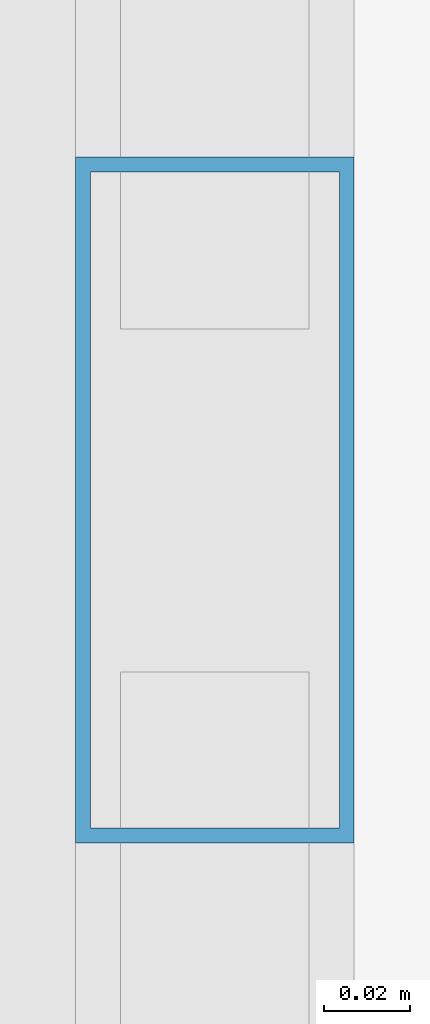
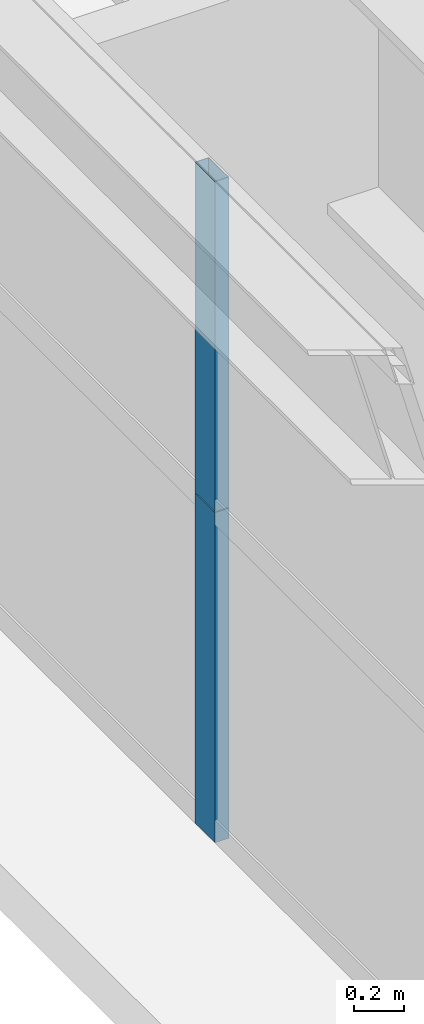
# One storey, part 8 of 39: 2 members, 1 element without a shape of its own.
"""IFC4 building model written with IfcOpenShell, lengths in metres."""

from ifc_helpers import new_model, si_unit, direction, frame, origin, origin_2d, place, context, subcontext, project, spatial, hollow_rectangle, extrude, source, transform, mapped, material, layer, layer_set, material_profile, profile_set, type_object, element, aggregate, save


model = new_model("IFC4")

# Units and contexts
model_context = context("Model", 3, precision=1e-05, world=origin(), true_north=direction((0.0, 1.0)))
body_context = subcontext(model_context, "Body", "Model", "MODEL_VIEW")
ifc_project = project(units=[si_unit("LENGTHUNIT", "METRE"), si_unit("AREAUNIT", "SQUARE_METRE"), si_unit("VOLUMEUNIT", "CUBIC_METRE"), si_unit("PLANEANGLEUNIT", "RADIAN"), si_unit("MASSUNIT", "GRAM", prefix="KILO"), si_unit("THERMODYNAMICTEMPERATUREUNIT", "KELVIN"), si_unit("POWERUNIT", "WATT")], contexts=[model_context])

# Site, building, storey
site_placement = place(None, origin())
site = spatial("IfcSite", under=ifc_project, at=site_placement, CompositionType="ELEMENT")
building_placement = place(site_placement, origin())
building = spatial("IfcBuilding", under=site, at=building_placement, Name="Yuzanri Waterfront Tower", CompositionType="ELEMENT")
storey_placement = place(building_placement, frame((0.0, 0.0, 216.0)))
storey = spatial("IfcBuildingStorey", under=building, at=storey_placement, Name="L57", CompositionType="ELEMENT", Elevation=216.0)

# Curtain wall, members
ifc_material_1 = material(Name="Anodized Architectural Bronze", Category="metal")
ifc_layer = layer(ifc_material_1, 0.159912109375)
ifc_layer_set = layer_set([ifc_layer], Name="Anodized Architectural Bronze")
curtain_wall_type = type_object("IfcCurtainWallType", Name="Anodized Bronze Mid-Rise Residential Acoustic Unitized Curtain Wall 7200", PredefinedType="NOTDEFINED", material=ifc_layer_set)
curtain_wall_placement = place(storey_placement, origin())
curtain_wall = element("IfcCurtainWall", 1, at=curtain_wall_placement, inside=storey, type_object=curtain_wall_type, Name="L57 Curtain Wall CW-L57-WL", PredefinedType="NOTDEFINED")
ifc_material_2 = material(Name="Anodized Architectural Bronze", Category="metal")
ifc_material_profile = material_profile(ifc_material_2, hollow_rectangle(XDim=0.06494140625, YDim=0.159912109375, WallThickness=0.00341796875, at=origin_2d()), Name="CWM 65x160")
ifc_profile_set = profile_set([ifc_material_profile], Name="Anodized Architectural Bronze")
member_type = type_object("IfcMemberType", Name="Anodized Bronze Upper-Zone Curtain-Wall Mullion 65x160", PredefinedType="MULLION", material=ifc_profile_set)
shared_shape = source(origin(), body_context, "Body", "SweptSolid", [
    extrude(hollow_rectangle(XDim=0.06494140625, YDim=0.159912109375, WallThickness=0.00341796875, at=origin_2d()), origin(), (0.0, 0.0, 1.0), 1.60791015625),
])
member_1_placement = place(storey_placement, frame((15.050048828125, 18.22509765625, 0.0), z_axis=(0.0, 0.0, 1.0), x_axis=(1.0, 0.0, 0.0)))
member_1 = element("IfcMember", 2, at=member_1_placement, type_object=member_type, Name="CW-L57-WL Lower Mullion 01", PredefinedType="MULLION", context=body_context, shape_type="MappedRepresentation", body=[
    mapped(shared_shape, transform((0.0, 0.0, 0.0), scale=1.0)),
])
member_2_placement = place(storey_placement, frame((15.050048828125, 18.22509765625, 1.612060546875), z_axis=(0.0, 0.0, 1.0), x_axis=(1.0, 0.0, 0.0)))
member_2 = element("IfcMember", 3, at=member_2_placement, type_object=member_type, Name="CW-L57-WL Upper Mullion 01", PredefinedType="MULLION", context=body_context, shape_type="MappedRepresentation", body=[
    mapped(shared_shape, transform((0.0, 0.0, 0.0), scale=1.0)),
])
aggregate(curtain_wall, [member_1, member_2])

save(model, "model.ifc")
